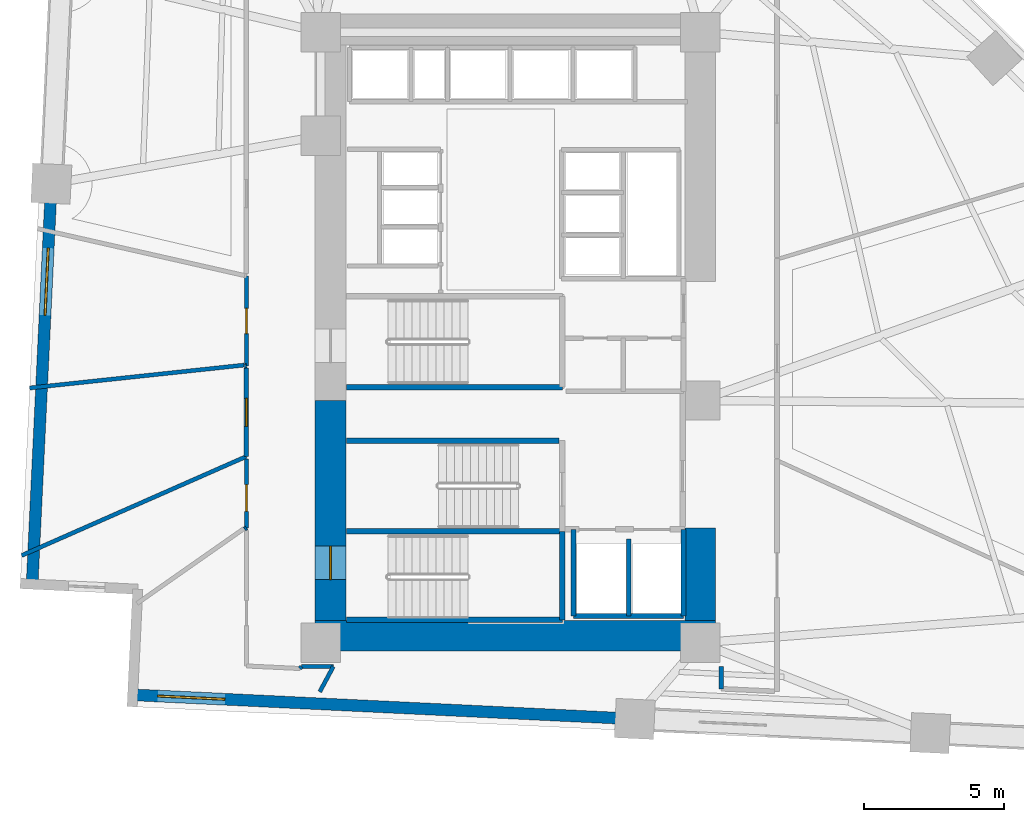
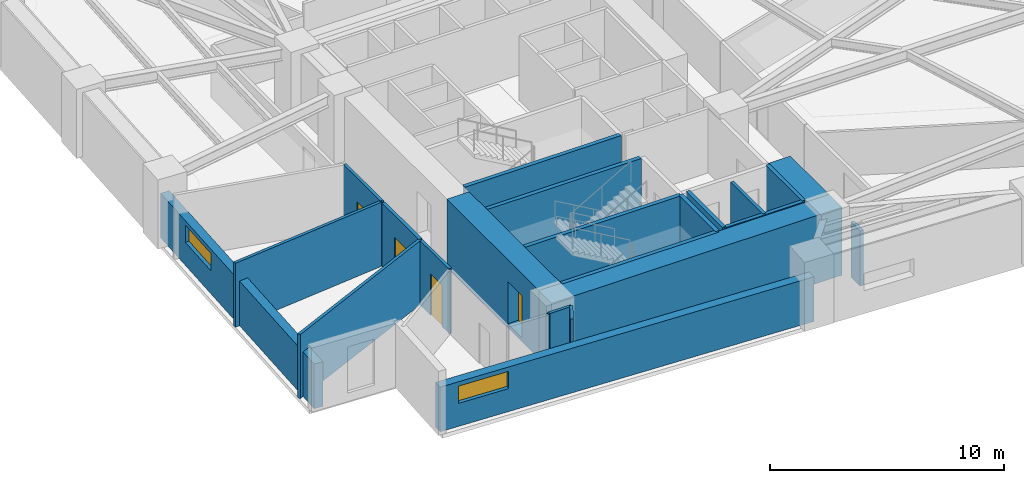
# One storey, part 13 of 18: 25 walls, 4 doors, 2 windows, 6 openings.
"""IFC4 building model written with IfcOpenShell, lengths in metres."""

from ifc_helpers import new_model, si_unit, direction, frame, frame_2d, origin, place, context, subcontext, project, spatial, rectangle, extrude, material, layer, layer_set, type_object, element, fill, save


model = new_model("IFC4")

# Units and contexts
model_context = context("Model", 3, precision=1e-05, world=origin(), true_north=direction((0.0, 1.0)))
body_context = subcontext(model_context, "Body", "Model", "MODEL_VIEW")
ifc_project = project(units=[si_unit("LENGTHUNIT", "METRE"), si_unit("AREAUNIT", "SQUARE_METRE"), si_unit("VOLUMEUNIT", "CUBIC_METRE"), si_unit("PLANEANGLEUNIT", "RADIAN"), si_unit("MASSUNIT", "GRAM", prefix="KILO")], contexts=[model_context])

# Site, building, storey
site_placement = place(None, origin())
site = spatial("IfcSite", under=ifc_project, at=site_placement, CompositionType="ELEMENT")
building_placement = place(site_placement, origin())
building = spatial("IfcBuilding", under=site, at=building_placement, Name="Narakoshi Arena Tower", CompositionType="ELEMENT")
storey_placement = place(building_placement, frame((0.0, 0.0, 44.699951171875)))
storey = spatial("IfcBuildingStorey", under=building, at=storey_placement, Name="L11", CompositionType="ELEMENT", Elevation=44.699951171875)

# Wall, opening, door
ifc_material_1 = material(Name="Concrete C60/75", Category="concrete")
ifc_layer_1 = layer(ifc_material_1, 1.10009765625)
ifc_layer_set_1 = layer_set([ifc_layer_1], Name="Concrete C60/75")
wall_type_1 = type_object("IfcWallType", Name="WL-CORE-1100", PredefinedType="SHEAR", material=ifc_layer_set_1)
wall_1_placement = place(storey_placement, frame((72.35009765625, 35.5, -0.199951171875), z_axis=(0.0, 0.0, 1.0), x_axis=(0.0, 1.0, 0.0)))
wall_1 = element("IfcWall", 1, at=wall_1_placement, inside=storey, type_object=wall_type_1, Name="L11 Central Core Shear Wall CW-APX-W", PredefinedType="SHEAR", context=body_context, shape_type="SweptSolid", body=[
    extrude(rectangle(XDim=7.85009765625, YDim=1.10009765625, at=frame_2d((3.925048828125, 0.0))), origin(), (0.0, 0.0, 1.0), 3.5400390625),
])
opening_1_placement = place(wall_1_placement, frame((1.449951171875, 0.0, 0.199951171875)))
opening_1 = element("IfcOpeningElement", 2, at=opening_1_placement, cuts=wall_1, Name="Opening D-03", PredefinedType="OPENING", context=body_context, shape_type="SweptSolid", body=[
    extrude(rectangle(XDim=1.199951171875, YDim=2.199951171875, at=frame_2d((0.60009765625, 1.10009765625))), frame((0.0, 0.56005859375, 0.0), z_axis=(0.0, -1.0, 0.0), x_axis=(1.0, 0.0, 0.0)), (0.0, 0.0, 1.0), 1.1201171875),
])
ifc_material_2 = material(Name="Painted galvanized steel", Category="steel")
door_type_1 = type_object("IfcDoorType", Name="DR-STR-1200", OperationType="NOTDEFINED", PredefinedType="USERDEFINED", material=ifc_material_2)
door_1_placement = place(opening_1_placement, frame((1.199951171875, 0.0, 0.0), z_axis=(0.0, 0.0, 1.0), x_axis=(-1.0, 0.0, 0.0)))
door_1 = element("IfcDoor", 3, at=door_1_placement, inside=storey, type_object=door_type_1, Name="DR-L11-001", ObjectType="EXITDOOR", OperationType="SINGLE_SWING_LEFT", OverallHeight=2.199951171875, OverallWidth=1.199951171875, PredefinedType="USERDEFINED", context=body_context, shape_type="SweptSolid", body=[
    extrude(rectangle(XDim=1.199951171875, YDim=2.199951171875, at=frame_2d((0.60009765625, 1.10009765625))), frame((0.0, 0.02490234375, 0.0), z_axis=(0.0, -1.0, 0.0), x_axis=(1.0, 0.0, 0.0)), (0.0, 0.0, 1.0), 0.050048828125),
])
fill(opening_1, door_1)

# Walls
wall_2_placement = place(storey_placement, frame((71.800048828125, 34.949951171875, -0.199951171875), z_axis=(0.0, 0.0, 1.0), x_axis=(1.0, 0.0, 0.0)))
element("IfcWall", 4, at=wall_2_placement, inside=storey, type_object=wall_type_1, Name="L11 Central Core Shear Wall CW-APX-S", PredefinedType="SHEAR", context=body_context, shape_type="SweptSolid", body=[
    extrude(rectangle(XDim=14.300048828125, YDim=1.10009765625, at=frame_2d((7.14990234375, 0.0))), origin(), (0.0, 0.0, 1.0), 3.5400390625),
])
wall_3_placement = place(storey_placement, frame((85.550048828125, 35.5, -0.199951171875), z_axis=(0.0, 0.0, 1.0), x_axis=(0.0, 1.0, 0.0)))
element("IfcWall", 5, at=wall_3_placement, inside=storey, type_object=wall_type_1, Name="L11 Central Core Shear Wall CW-APX-E", PredefinedType="SHEAR", context=body_context, shape_type="SweptSolid", body=[
    extrude(rectangle(XDim=3.300048828125, YDim=1.10009765625, at=frame_2d((1.64990234375, 0.0))), origin(), (0.0, 0.0, 1.0), 3.5400390625),
])

# Wall, opening, door
ifc_material_3 = material(Name="Gypsum plasterboard fire-rated partition")
ifc_layer_2 = layer(ifc_material_3, 0.1650390625)
ifc_layer_set_2 = layer_set([ifc_layer_2], Name="Gypsum plasterboard fire-rated partition")
wall_type_2 = type_object("IfcWallType", Name="WL-CORR-165", PredefinedType="PARTITIONING", material=ifc_layer_set_2)
wall_4_placement = place(storey_placement, frame((69.340087890625, 44.501708984375, 0.0), z_axis=(0.0, 0.0, 1.0), x_axis=(0.0, -1.0, 0.0)))
wall_4 = element("IfcWall", 6, at=wall_4_placement, inside=storey, type_object=wall_type_2, Name="L11 Corridor Partition 02-1", PredefinedType="PARTITIONING", context=body_context, shape_type="SweptSolid", body=[
    extrude(rectangle(XDim=3.14990234375, YDim=0.1650390625, at=frame_2d((1.574951171875, 0.0))), origin(), (0.0, 0.0, 1.0), 3.340087890625),
])
opening_2_placement = place(wall_4_placement, frame((1.0751953125, 0.0, 0.0)))
opening_2 = element("IfcOpeningElement", 7, at=opening_2_placement, cuts=wall_4, Name="Opening D-06", PredefinedType="OPENING", context=body_context, shape_type="SweptSolid", body=[
    extrude(rectangle(XDim=1.0, YDim=2.199951171875, at=frame_2d((0.5, 1.10009765625))), frame((0.0, 0.092529296875, 0.0), z_axis=(0.0, -1.0, 0.0), x_axis=(1.0, 0.0, 0.0)), (0.0, 0.0, 1.0), 0.18505859375),
])
ifc_material_4 = material(Name="Stained oak solid-core timber", Category="wood")
door_type_2 = type_object("IfcDoorType", Name="DR-OFF-1000", OperationType="NOTDEFINED", PredefinedType="DOOR", material=ifc_material_4)
door_2_placement = place(opening_2_placement, frame((1.0, 0.0, 0.0), z_axis=(0.0, 0.0, 1.0), x_axis=(-1.0, 0.0, 0.0)))
door_2 = element("IfcDoor", 8, at=door_2_placement, inside=storey, type_object=door_type_2, Name="DR-L11-015", OperationType="SINGLE_SWING_RIGHT", OverallHeight=2.199951171875, OverallWidth=1.0, PredefinedType="DOOR", context=body_context, shape_type="SweptSolid", body=[
    extrude(rectangle(XDim=1.0, YDim=2.199951171875, at=frame_2d((0.5, 1.10009765625))), frame((0.0, 0.02490234375, 0.0), z_axis=(0.0, -1.0, 0.0), x_axis=(1.0, 0.0, 0.0)), (0.0, 0.0, 1.0), 0.050048828125),
])
fill(opening_2, door_2)

# Wall
wall_5_placement = place(storey_placement, frame((86.300048828125, 33.85009765625, 0.0), z_axis=(0.0, 0.0, 1.0), x_axis=(0.0, -1.0, 0.0)))
element("IfcWall", 9, at=wall_5_placement, inside=storey, type_object=wall_type_2, Name="L11 Corridor Partition 05-3", PredefinedType="PARTITIONING", context=body_context, shape_type="SweptSolid", body=[
    extrude(rectangle(XDim=0.792724609375, YDim=0.1650390625, at=frame_2d((0.396484375, 0.0))), origin(), (0.0, 0.0, 1.0), 2.875),
])

# Wall, opening, window
ifc_material_5 = material(Name="Precast concrete C45/55", Category="concrete")
ifc_layer_3 = layer(ifc_material_5, 0.419921875)
ifc_layer_set_3 = layer_set([ifc_layer_3], Name="Precast concrete C45/55")
wall_type_3 = type_object("IfcWallType", Name="WL-POD-420", PredefinedType="SOLIDWALL", material=ifc_layer_set_3)
wall_6_placement = place(storey_placement, frame((65.28076171875, 32.840576171875, 0.0), z_axis=(0.0, 0.0, 1.0), x_axis=(0.998848298084, -0.047979968897, 0.0)))
wall_6 = element("IfcWall", 10, at=wall_6_placement, inside=storey, type_object=wall_type_3, Name="L11 Architectural Concrete Facade Wall LEGA-1", PredefinedType="SOLIDWALL", context=body_context, shape_type="SweptSolid", body=[
    extrude(rectangle(XDim=17.951904296875, YDim=0.419921875, at=frame_2d((8.97607421875, 0.0))), origin(), (0.0, 0.0, 1.0), 2.324951171875),
])
opening_3_placement = place(wall_6_placement, frame((0.89990234375, 0.0, 1.199951171875)))
opening_3 = element("IfcOpeningElement", 11, at=opening_3_placement, cuts=wall_6, Name="Opening WN-01", PredefinedType="OPENING", context=body_context, shape_type="SweptSolid", body=[
    extrude(rectangle(XDim=2.39990234375, YDim=0.89990234375, at=frame_2d((1.199951171875, 0.449951171875))), frame((0.0, 0.219970703125, 0.0), z_axis=(0.0, -1.0, 0.0), x_axis=(1.0, 0.0, 0.0)), (0.0, 0.0, 1.0), 0.43994140625),
])
ifc_material_6 = material(Name="Bronze-tinted low-E laminated glass", Category="glass")
window_type = type_object("IfcWindowType", Name="WIN-SLT-24x09", PartitioningType="SINGLE_PANEL", PredefinedType="WINDOW", material=ifc_material_6)
window_1_placement = place(opening_3_placement, origin())
window_1 = element("IfcWindow", 12, at=window_1_placement, inside=storey, type_object=window_type, Name="L11 LEGA1 Horizontal Slot Window 1", OverallHeight=0.89990234375, OverallWidth=2.39990234375, PartitioningType="SINGLE_PANEL", PredefinedType="WINDOW", context=body_context, shape_type="SweptSolid", body=[
    extrude(rectangle(XDim=2.39990234375, YDim=0.89990234375, at=frame_2d((1.199951171875, 0.449951171875))), frame((0.0, 0.030029296875, 0.0), z_axis=(0.0, -1.0, 0.0), x_axis=(1.0, 0.0, 0.0)), (0.0, 0.0, 1.0), 0.06005859375),
])
fill(opening_3, window_1)

wall_7_placement = place(storey_placement, frame((62.3779296875, 51.08984375, 0.0), z_axis=(0.0, 0.0, 1.0), x_axis=(-0.047978424452, -0.99884837227, 0.0)))
wall_7 = element("IfcWall", 13, at=wall_7_placement, inside=storey, type_object=wall_type_3, Name="L11 Architectural Concrete Facade Wall LEGB-3", PredefinedType="SOLIDWALL", context=body_context, shape_type="SweptSolid", body=[
    extrude(rectangle(XDim=14.314208984375, YDim=0.419921875, at=frame_2d((7.1572265625, 0.0))), origin(), (0.0, 0.0, 1.0), 2.324951171875),
])
opening_4_placement = place(wall_7_placement, frame((2.300048828125, 0.0, 1.199951171875)))
opening_4 = element("IfcOpeningElement", 14, at=opening_4_placement, cuts=wall_7, Name="Opening WN-01", PredefinedType="OPENING", context=body_context, shape_type="SweptSolid", body=[
    extrude(rectangle(XDim=2.39990234375, YDim=0.89990234375, at=frame_2d((1.199951171875, 0.449951171875))), frame((0.0, 0.219970703125, 0.0), z_axis=(0.0, -1.0, 0.0), x_axis=(1.0, 0.0, 0.0)), (0.0, 0.0, 1.0), 0.43994140625),
])
window_2_placement = place(opening_4_placement, origin())
window_2 = element("IfcWindow", 15, at=window_2_placement, inside=storey, type_object=window_type, Name="L11 LEGB3 Horizontal Slot Window 1", OverallHeight=0.89990234375, OverallWidth=2.39990234375, PartitioningType="SINGLE_PANEL", PredefinedType="WINDOW", context=body_context, shape_type="SweptSolid", body=[
    extrude(rectangle(XDim=2.39990234375, YDim=0.89990234375, at=frame_2d((1.199951171875, 0.449951171875))), frame((0.0, 0.030029296875, 0.0), z_axis=(0.0, -1.0, 0.0), x_axis=(1.0, 0.0, 0.0)), (0.0, 0.0, 1.0), 0.06005859375),
])
fill(opening_4, window_2)

# Walls
ifc_material_7 = material(Name="Concrete C40/50", Category="concrete")
ifc_layer_4 = layer(ifc_material_7, 0.280029296875)
ifc_layer_set_4 = layer_set([ifc_layer_4], Name="Concrete C40/50")
wall_type_4 = type_object("IfcWallType", Name="WL-RISER-280", PredefinedType="PLUMBINGWALL", material=ifc_layer_set_4)
wall_8_placement = place(storey_placement, frame((83.0, 35.64990234375, 0.0), z_axis=(0.0, 0.0, 1.0), x_axis=(0.0, 1.0, 0.0)))
element("IfcWall", 16, at=wall_8_placement, inside=storey, type_object=wall_type_4, Name="L11 Core Wall FF-DIV", PredefinedType="PLUMBINGWALL", context=body_context, shape_type="SweptSolid", body=[
    extrude(rectangle(XDim=2.75, YDim=0.159912109375, at=frame_2d((1.375, 0.0))), origin(), (0.0, 0.0, 1.0), 3.340087890625),
])
ifc_material_8 = material(Name="Concrete C50/60", Category="concrete")
ifc_layer_5 = layer(ifc_material_8, 0.35009765625)
ifc_layer_set_5 = layer_set([ifc_layer_5], Name="Concrete C50/60")
wall_type_5 = type_object("IfcWallType", Name="WL-SHAFT-350", PredefinedType="SOLIDWALL", material=ifc_layer_set_5)
for number, where, z_axis, x_axis, name in (
    (17, (72.919921875, 35.52001953125, -0.199951171875), (0.0, 0.0, 1.0), (1.0, 0.0, 0.0), "L11 Core Wall ST1-S"),
    (18, (72.919921875, 38.675048828125, -0.199951171875), (0.0, 0.0, 1.0), (1.0, 0.0, 0.0), "L11 Core Wall ST12-DIV"),
):
    element("IfcWall", number, at=place(storey_placement, frame(where, z_axis=z_axis, x_axis=x_axis)), inside=storey, type_object=wall_type_5, Name=name, PredefinedType="SOLIDWALL", context=body_context, shape_type="SweptSolid", body=[
        extrude(rectangle(XDim=7.7001953125, YDim=0.199951171875, at=frame_2d((3.85009765625, 0.0))), origin(), (0.0, 0.0, 1.0), 3.5400390625),
    ])
wall_9_placement = place(storey_placement, frame((80.6201171875, 35.52001953125, -0.199951171875), z_axis=(0.0, 0.0, 1.0), x_axis=(0.0, 1.0, 0.0)))
element("IfcWall", 19, at=wall_9_placement, inside=storey, type_object=wall_type_5, Name="L11 Core Wall ST1-E", PredefinedType="SOLIDWALL", context=body_context, shape_type="SweptSolid", body=[
    extrude(rectangle(XDim=3.155029296875, YDim=0.199951171875, at=frame_2d((1.57763671875, 0.0))), origin(), (0.0, 0.0, 1.0), 3.5400390625),
])
for number, where, z_axis, x_axis, name in (
    (20, (84.949951171875, 35.64990234375, 0.0), (0.0, 0.0, 1.0), (0.0, 1.0, 0.0), "L11 Core Wall FF-E"),
    (21, (81.02001953125, 35.64990234375, 0.0), (0.0, 0.0, 1.0), (0.0, 1.0, 0.0), "L11 Core Wall FF-W"),
):
    element("IfcWall", number, at=place(storey_placement, frame(where, z_axis=z_axis, x_axis=x_axis)), inside=storey, type_object=wall_type_5, Name=name, PredefinedType="SOLIDWALL", context=body_context, shape_type="SweptSolid", body=[
        extrude(rectangle(XDim=3.10009765625, YDim=0.179931640625, at=frame_2d((1.550048828125, 0.0))), origin(), (0.0, 0.0, 1.0), 3.340087890625),
    ])
wall_10_placement = place(storey_placement, frame((81.02001953125, 35.64990234375, 0.0), z_axis=(0.0, 0.0, 1.0), x_axis=(1.0, 0.0, 0.0)))
element("IfcWall", 22, at=wall_10_placement, inside=storey, type_object=wall_type_5, Name="L11 Core Wall FF-S", PredefinedType="SOLIDWALL", context=body_context, shape_type="SweptSolid", body=[
    extrude(rectangle(XDim=3.929931640625, YDim=0.179931640625, at=frame_2d((1.96484375, 0.0))), origin(), (0.0, 0.0, 1.0), 3.340087890625),
])
wall_11_placement = place(storey_placement, frame((72.919921875, 41.919921875, -0.199951171875), z_axis=(0.0, 0.0, 1.0), x_axis=(1.0, 0.0, 0.0)))
element("IfcWall", 23, at=wall_11_placement, inside=storey, type_object=wall_type_5, Name="L11 Core Wall ST2-N", PredefinedType="SOLIDWALL", context=body_context, shape_type="SweptSolid", body=[
    extrude(rectangle(XDim=7.580078125, YDim=0.199951171875, at=frame_2d((3.7900390625, 0.0))), origin(), (0.0, 0.0, 1.0), 3.5400390625),
])
wall_12_placement = place(storey_placement, frame((72.919921875, 43.830078125, -0.199951171875), z_axis=(0.0, 0.0, 1.0), x_axis=(1.0, 0.0, 0.0)))
element("IfcWall", 24, at=wall_12_placement, inside=storey, type_object=wall_type_5, Name="L11 Core Wall ST3-S", PredefinedType="SOLIDWALL", context=body_context, shape_type="SweptSolid", body=[
    extrude(rectangle(XDim=7.7001953125, YDim=0.199951171875, at=frame_2d((3.85009765625, 0.0))), origin(), (0.0, 0.0, 1.0), 3.5400390625),
])

# Wall, opening, door
ifc_material_9 = material(Name="Moisture-resistant cement-board partition")
ifc_layer_6 = layer(ifc_material_9, 0.14501953125)
ifc_layer_set_6 = layer_set([ifc_layer_6], Name="Moisture-resistant cement-board partition")
wall_type_6 = type_object("IfcWallType", Name="WL-WET-145", PredefinedType="PARTITIONING", material=ifc_layer_set_6)
wall_13_placement = place(storey_placement, frame((69.340087890625, 47.7978515625, 0.0), z_axis=(0.0, 0.0, 1.0), x_axis=(0.0, -1.0, 0.0)))
wall_13 = element("IfcWall", 25, at=wall_13_placement, inside=storey, type_object=wall_type_6, Name="L11 Corridor Partition 01-1", PredefinedType="PARTITIONING", context=body_context, shape_type="SweptSolid", body=[
    extrude(rectangle(XDim=3.2109375, YDim=0.14501953125, at=frame_2d((1.60546875, 0.0))), origin(), (0.0, 0.0, 1.0), 3.340087890625),
])
opening_5_placement = place(wall_13_placement, frame((1.155517578125, 0.0, 0.0)))
opening_5 = element("IfcOpeningElement", 26, at=opening_5_placement, cuts=wall_13, Name="Opening D-08", PredefinedType="OPENING", context=body_context, shape_type="SweptSolid", body=[
    extrude(rectangle(XDim=0.89990234375, YDim=2.10009765625, at=frame_2d((0.449951171875, 1.050048828125))), frame((0.0, 0.08251953125, 0.0), z_axis=(0.0, -1.0, 0.0), x_axis=(1.0, 0.0, 0.0)), (0.0, 0.0, 1.0), 0.1650390625),
])
ifc_material_10 = material(Name="Moisture-resistant laminate timber", Category="wood")
door_type_3 = type_object("IfcDoorType", Name="DR-WC-900", OperationType="NOTDEFINED", PredefinedType="DOOR", material=ifc_material_10)
door_3_placement = place(opening_5_placement, frame((0.89990234375, 0.0, 0.0), z_axis=(0.0, 0.0, 1.0), x_axis=(-1.0, 0.0, 0.0)))
door_3 = element("IfcDoor", 27, at=door_3_placement, inside=storey, type_object=door_type_3, Name="DR-L11-014", OperationType="SINGLE_SWING_RIGHT", OverallHeight=2.10009765625, OverallWidth=0.89990234375, PredefinedType="DOOR", context=body_context, shape_type="SweptSolid", body=[
    extrude(rectangle(XDim=0.89990234375, YDim=2.10009765625, at=frame_2d((0.449951171875, 1.050048828125))), frame((0.0, 0.02490234375, 0.0), z_axis=(0.0, -1.0, 0.0), x_axis=(1.0, 0.0, 0.0)), (0.0, 0.0, 1.0), 0.050048828125),
])
fill(opening_5, door_3)

# Walls
wall_14_placement = place(storey_placement, frame((69.340087890625, 44.5869140625, 0.0), z_axis=(0.0, 0.0, 1.0), x_axis=(-0.994030677348, -0.109100928002, 0.0)))
element("IfcWall", 28, at=wall_14_placement, inside=storey, type_object=wall_type_6, Name="L11 Corridor Partition 01-3", PredefinedType="PARTITIONING", context=body_context, shape_type="SweptSolid", body=[
    extrude(rectangle(XDim=0.060302734375, YDim=0.14501953125, at=frame_2d((0.0302734375, 0.0))), origin(), (0.0, 0.0, 1.0), 3.340087890625),
])
wall_15_placement = place(storey_placement, frame((69.255615234375, 44.61376953125, 0.0), z_axis=(0.0, 0.0, 1.0), x_axis=(-0.994351793686, -0.106134397782, 0.0)))
element("IfcWall", 29, at=wall_15_placement, inside=storey, type_object=wall_type_6, Name="L11 Inter-Room Partition 01-02", PredefinedType="PARTITIONING", context=body_context, shape_type="SweptSolid", body=[
    extrude(rectangle(XDim=7.69677734375, YDim=0.14501953125, at=frame_2d((3.848388671875, 0.0))), origin(), (0.0, 0.0, 1.0), 3.340087890625),
])
wall_16_placement = place(storey_placement, frame((69.340087890625, 41.351806640625, 0.0), z_axis=(0.0, 0.0, 1.0), x_axis=(-0.915112128414, -0.403199444976, 0.0)))
element("IfcWall", 30, at=wall_16_placement, inside=storey, type_object=wall_type_6, Name="L11 Inter-Room Partition 02-03", PredefinedType="PARTITIONING", context=body_context, shape_type="SweptSolid", body=[
    extrude(rectangle(XDim=8.76953125, YDim=0.14501953125, at=frame_2d((4.384765625, 0.0))), origin(), (0.0, 0.0, 1.0), 3.340087890625),
])

# Wall, opening, door
wall_17_placement = place(storey_placement, frame((69.340087890625, 41.259521484375, 0.0), z_axis=(0.0, 0.0, 1.0), x_axis=(0.0, -1.0, 0.0)))
wall_17 = element("IfcWall", 31, at=wall_17_placement, inside=storey, type_object=wall_type_6, Name="L11 Corridor Partition 03-1", PredefinedType="PARTITIONING", context=body_context, shape_type="SweptSolid", body=[
    extrude(rectangle(XDim=2.45361328125, YDim=0.14501953125, at=frame_2d((1.226806640625, 0.0))), origin(), (0.0, 0.0, 1.0), 3.340087890625),
])
opening_6_placement = place(wall_17_placement, frame((0.917236328125, 0.0, 0.0)))
opening_6 = element("IfcOpeningElement", 32, at=opening_6_placement, cuts=wall_17, Name="Opening D-07", PredefinedType="OPENING", context=body_context, shape_type="SweptSolid", body=[
    extrude(rectangle(XDim=0.949951171875, YDim=2.14990234375, at=frame_2d((0.47509765625, 1.074951171875))), frame((0.0, 0.08251953125, 0.0), z_axis=(0.0, -1.0, 0.0), x_axis=(1.0, 0.0, 0.0)), (0.0, 0.0, 1.0), 0.1650390625),
])
door_type_4 = type_object("IfcDoorType", Name="DR-ACC-950", OperationType="NOTDEFINED", PredefinedType="DOOR", material=ifc_material_4)
door_4_placement = place(opening_6_placement, frame((0.949951171875, 0.0, 0.0), z_axis=(0.0, 0.0, 1.0), x_axis=(-1.0, 0.0, 0.0)))
door_4 = element("IfcDoor", 33, at=door_4_placement, inside=storey, type_object=door_type_4, Name="DR-L11-016", OperationType="SINGLE_SWING_LEFT", OverallHeight=2.14990234375, OverallWidth=0.949951171875, PredefinedType="DOOR", context=body_context, shape_type="SweptSolid", body=[
    extrude(rectangle(XDim=0.949951171875, YDim=2.14990234375, at=frame_2d((0.47509765625, 1.074951171875))), frame((0.0, 0.02490234375, 0.0), z_axis=(0.0, -1.0, 0.0), x_axis=(1.0, 0.0, 0.0)), (0.0, 0.0, 1.0), 0.050048828125),
])
fill(opening_6, door_4)

# Walls
wall_18_placement = place(storey_placement, frame((69.340087890625, 38.805908203125, 0.0), z_axis=(0.0, 0.0, 1.0), x_axis=(-0.811722058131, -0.584043919875, 0.0)))
element("IfcWall", 34, at=wall_18_placement, inside=storey, type_object=wall_type_6, Name="L11 Corridor Partition 03-2", PredefinedType="PARTITIONING", context=body_context, shape_type="SweptSolid", body=[
    extrude(rectangle(XDim=0.073974609375, YDim=0.14501953125, at=frame_2d((0.037109375, 0.0))), origin(), (0.0, 0.0, 1.0), 3.340087890625),
])
wall_19_placement = place(storey_placement, frame((71.25, 33.7802734375, 0.0), z_axis=(0.0, 0.0, 1.0), x_axis=(0.652100218984, 0.758132774916, 0.0)))
element("IfcWall", 35, at=wall_19_placement, inside=storey, type_object=wall_type_6, Name="L11 Corridor Partition 04-3", PredefinedType="PARTITIONING", context=body_context, shape_type="SweptSolid", body=[
    extrude(rectangle(XDim=0.092041015625, YDim=0.14501953125, at=frame_2d((0.0458984375, 0.0))), origin(), (0.0, 0.0, 1.0), 3.340087890625),
])
wall_20_placement = place(storey_placement, frame((71.31005859375, 33.85009765625, 0.0), z_axis=(0.0, 0.0, 1.0), x_axis=(1.0, 0.0, 0.0)))
element("IfcWall", 36, at=wall_20_placement, inside=storey, type_object=wall_type_6, Name="L11 Room Enclosure Partition 04-1", PredefinedType="PARTITIONING", context=body_context, shape_type="SweptSolid", body=[
    extrude(rectangle(XDim=1.13623046875, YDim=0.14501953125, at=frame_2d((0.568115234375, 0.0))), origin(), (0.0, 0.0, 1.0), 3.340087890625),
])
wall_21_placement = place(storey_placement, frame((72.4462890625, 33.85009765625, 0.0), z_axis=(0.0, 0.0, 1.0), x_axis=(-0.474697762924, -0.880148870291, 0.0)))
element("IfcWall", 37, at=wall_21_placement, inside=storey, type_object=wall_type_6, Name="L11 Room Enclosure Partition 04-2", PredefinedType="PARTITIONING", context=body_context, shape_type="SweptSolid", body=[
    extrude(rectangle(XDim=1.0224609375, YDim=0.14501953125, at=frame_2d((0.51123046875, 0.0))), origin(), (0.0, 0.0, 1.0), 3.340087890625),
])

save(model, "model.ifc")
